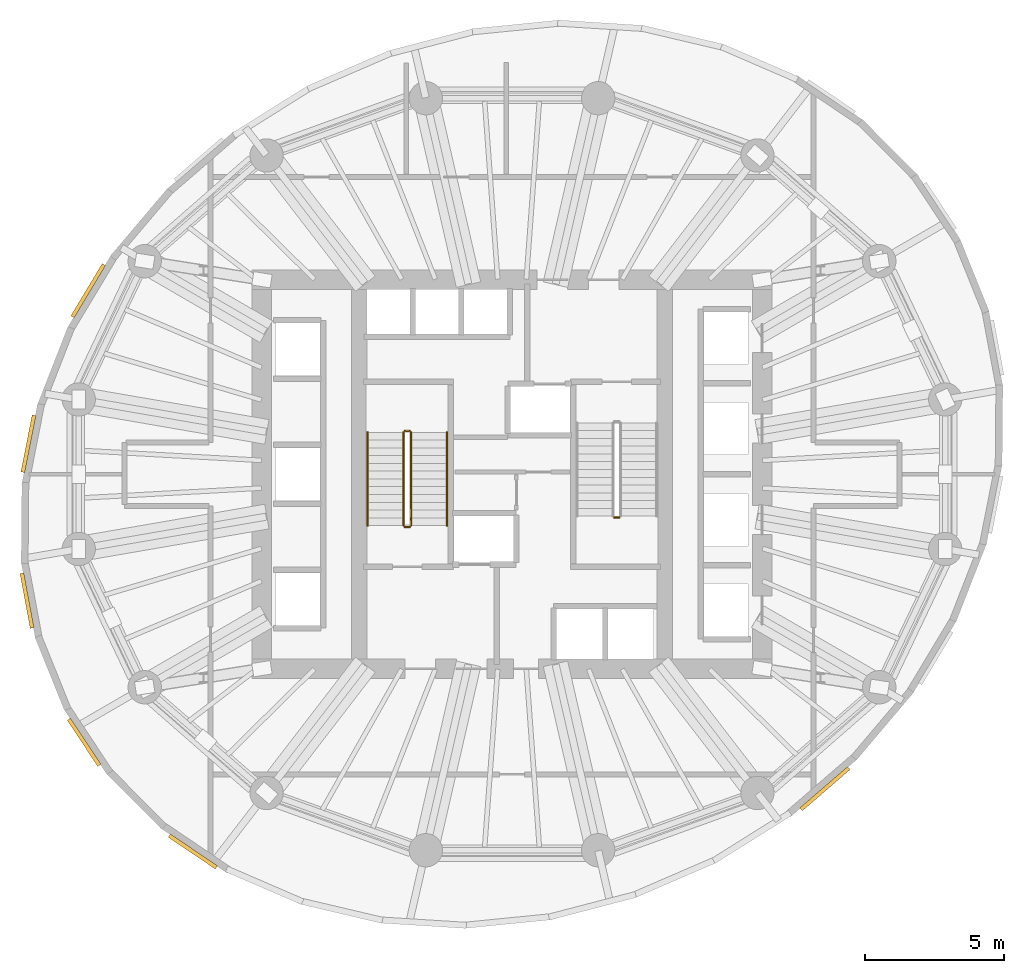
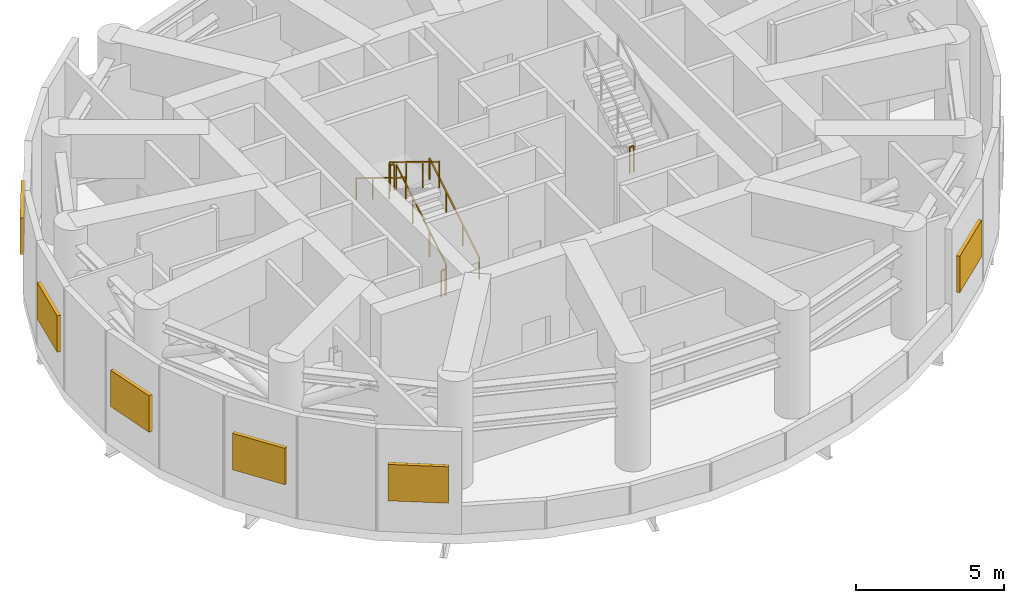
# One storey, part 8 of 9: 7 railings, 6 shading devices.
"""IFC4 building model written with IfcOpenShell, lengths in metres."""

from ifc_helpers import new_model, si_unit, direction, frame, origin, origin_2d, place, context, subcontext, project, spatial, rectangle, extrude, material, layer, layer_set, type_object, element, save


model = new_model("IFC4")

# Units and contexts
model_context = context("Model", 3, precision=1e-05, world=origin(), true_north=direction((0.0, 1.0)))
body_context = subcontext(model_context, "Body", "Model", "MODEL_VIEW")
ifc_project = project(units=[si_unit("LENGTHUNIT", "METRE"), si_unit("AREAUNIT", "SQUARE_METRE"), si_unit("VOLUMEUNIT", "CUBIC_METRE"), si_unit("PLANEANGLEUNIT", "RADIAN"), si_unit("MASSUNIT", "GRAM", prefix="KILO")], contexts=[model_context])

# Site, building, storey
site_placement = place(None, origin())
site = spatial("IfcSite", under=ifc_project, at=site_placement, CompositionType="ELEMENT")
building_placement = place(site_placement, origin())
building = spatial("IfcBuilding", under=site, at=building_placement, Name="Veldorim Arch Residences", CompositionType="ELEMENT")
storey_placement = place(building_placement, frame((0.0, 0.0, 112.47998046875)))
storey = spatial("IfcBuildingStorey", under=building, at=storey_placement, Name="L33", CompositionType="ELEMENT", Elevation=112.47998046875)

# Shading devices
ifc_material_1 = material(Name="Aluminium", Category="aluminium")
ifc_layer = layer(ifc_material_1, 0.14990234375, Name="Acoustic Stormproof Plant Louvre Bank")
ifc_layer_set = layer_set([ifc_layer], Name="Aluminium")
shading_device_type = type_object("IfcShadingDeviceType", Name="Acoustic Stormproof Plant Louvre Bank", PredefinedType="JALOUSIE", material=ifc_layer_set)
shading_device_1_placement = place(storey_placement, frame((16.745361328125, 30.607177734375, 1.35009765625), z_axis=(0.0, 0.0, 1.0), x_axis=(0.514738835705, 0.85734703068, 0.0)))
element("IfcShadingDevice", 1, at=shading_device_1_placement, inside=storey, type_object=shading_device_type, Name="L33 plant stormproof acoustic louvre 12", PredefinedType="JALOUSIE", context=body_context, shape_type="SweptSolid", body=[
    extrude(rectangle(XDim=2.18994140625, YDim=0.139892578125, at=origin_2d()), origin(), (0.0, 0.0, 1.0), 1.5),
])
shading_device_2_placement = place(storey_placement, frame((14.594482421875, 25.09521484375, 1.35009765625), z_axis=(0.0, 0.0, 1.0), x_axis=(0.1937206977, 0.981056721746, 0.0)))
element("IfcShadingDevice", 2, at=shading_device_2_placement, inside=storey, type_object=shading_device_type, Name="L33 plant stormproof acoustic louvre 14", PredefinedType="JALOUSIE", context=body_context, shape_type="SweptSolid", body=[
    extrude(rectangle(XDim=2.0869140625, YDim=0.139892578125, at=origin_2d()), origin(), (0.0, 0.0, 1.0), 1.5),
])
shading_device_3_placement = place(storey_placement, frame((14.543212890625, 19.448974609375, 1.35009765625), z_axis=(0.0, 0.0, 1.0), x_axis=(-0.183436661675, 0.983031531108, 0.0)))
element("IfcShadingDevice", 3, at=shading_device_3_placement, inside=storey, type_object=shading_device_type, Name="L33 plant stormproof acoustic louvre 16", PredefinedType="JALOUSIE", context=body_context, shape_type="SweptSolid", body=[
    extrude(rectangle(XDim=2.0048828125, YDim=0.139892578125, at=origin_2d()), origin(), (0.0, 0.0, 1.0), 1.5),
])
shading_device_4_placement = place(storey_placement, frame((16.599365234375, 14.35107421875, 1.35009765625), z_axis=(0.0, 0.0, 1.0), x_axis=(-0.551500288078, 0.834174701276, 0.0)))
element("IfcShadingDevice", 4, at=shading_device_4_placement, inside=storey, type_object=shading_device_type, Name="L33 plant stormproof acoustic louvre 18", PredefinedType="JALOUSIE", context=body_context, shape_type="SweptSolid", body=[
    extrude(rectangle(XDim=1.985107421875, YDim=0.139892578125, at=origin_2d()), origin(), (0.0, 0.0, 1.0), 1.5),
])
shading_device_5_placement = place(storey_placement, frame((20.514404296875, 10.41845703125, 1.35009765625), z_axis=(0.0, 0.0, 1.0), x_axis=(-0.828646980263, 0.559771544562, 0.0)))
element("IfcShadingDevice", 5, at=shading_device_5_placement, inside=storey, type_object=shading_device_type, Name="L33 plant stormproof acoustic louvre 20", PredefinedType="JALOUSIE", context=body_context, shape_type="SweptSolid", body=[
    extrude(rectangle(XDim=2.0400390625, YDim=0.139892578125, at=origin_2d()), origin(), (0.0, 0.0, 1.0), 1.5),
])
shading_device_6_placement = place(storey_placement, frame((43.26513671875, 12.6787109375, 1.35009765625), z_axis=(0.0, 0.0, 1.0), x_axis=(-0.756766922719, -0.653684805299, 0.0)))
element("IfcShadingDevice", 6, at=shading_device_6_placement, inside=storey, type_object=shading_device_type, Name="L33 plant stormproof acoustic louvre 28", PredefinedType="JALOUSIE", context=body_context, shape_type="SweptSolid", body=[
    extrude(rectangle(XDim=2.264892578125, YDim=0.139892578125, at=origin_2d()), origin(), (0.0, 0.0, 1.0), 1.5),
])

# Railings
ifc_material_2 = material(Name="Steel S355", Category="steel")
railing_type_1 = type_object("IfcRailingType", Name="Galvanised Steel Stair Safety Guardrail 1100", PredefinedType="GUARDRAIL", material=ifc_material_2)
railing_1_placement = place(storey_placement, frame((28.360107421875, 22.14990234375, 0.17236328125)))
element("IfcRailing", 7, at=railing_1_placement, inside=storey, type_object=railing_type_1, Name="L33 ST-1 stair guard 1", PredefinedType="GUARDRAIL", context=body_context, shape_type="SweptSolid", body=[
    extrude(rectangle(XDim=0.048095703125, YDim=0.048095703125, at=origin_2d()), frame((0.0, 0.0, 1.076171875), z_axis=(0.0, 0.851673189135, 0.524073257196), x_axis=(-1.0, 0.0, 0.0)), (0.0, 0.0, 1.0), 3.9453125),
    extrude(rectangle(XDim=0.0419921875, YDim=0.0419921875, at=origin_2d()), origin(), (0.0, 0.0, 1.0), 1.052001953125),
    extrude(rectangle(XDim=0.0419921875, YDim=0.0419921875, at=origin_2d()), frame((0.0, 1.1201171875, 0.689208984375)), (0.0, 0.0, 1.0), 1.052001953125),
    extrude(rectangle(XDim=0.0419921875, YDim=0.0419921875, at=origin_2d()), frame((0.0, 2.239990234375, 1.37841796875)), (0.0, 0.0, 1.0), 1.052001953125),
    extrude(rectangle(XDim=0.0419921875, YDim=0.0419921875, at=origin_2d()), frame((0.0, 3.360107421875, 2.067626953125)), (0.0, 0.0, 1.0), 1.052001953125),
])
railing_2_placement = place(storey_placement, frame((28.31005859375, 25.56005859375, 2.239990234375)))
element("IfcRailing", 8, at=railing_2_placement, inside=storey, type_object=railing_type_1, Name="L33 ST-1 stair guard 2", PredefinedType="GUARDRAIL", context=body_context, shape_type="SweptSolid", body=[
    extrude(rectangle(XDim=0.048095703125, YDim=0.048095703125, at=origin_2d()), frame((0.0, 0.0, 1.076171875), z_axis=(-1.0, 0.0, 0.0), x_axis=(0.0, -1.0, 0.0)), (0.0, 0.0, 1.0), 0.16015625),
    extrude(rectangle(XDim=0.0419921875, YDim=0.0419921875, at=origin_2d()), origin(), (0.0, 0.0, 1.0), 1.052001953125),
    extrude(rectangle(XDim=0.0419921875, YDim=0.0419921875, at=origin_2d()), frame((-0.16015625, 0.0, 0.0)), (0.0, 0.0, 1.0), 1.052001953125),
])
railing_3_placement = place(storey_placement, frame((28.10009765625, 25.510009765625, 2.412353515625)))
element("IfcRailing", 9, at=railing_3_placement, inside=storey, type_object=railing_type_1, Name="L33 ST-1 stair guard 3", PredefinedType="GUARDRAIL", context=body_context, shape_type="SweptSolid", body=[
    extrude(rectangle(XDim=0.048095703125, YDim=0.048095703125, at=origin_2d()), frame((0.0, 0.0, 1.076171875), z_axis=(0.0, -0.851673189135, 0.524073257196), x_axis=(1.0, 0.0, 0.0)), (0.0, 0.0, 1.0), 3.9453125),
    extrude(rectangle(XDim=0.0419921875, YDim=0.0419921875, at=origin_2d()), origin(), (0.0, 0.0, 1.0), 1.052001953125),
    extrude(rectangle(XDim=0.0419921875, YDim=0.0419921875, at=origin_2d()), frame((0.0, -1.1201171875, 0.689208984375)), (0.0, 0.0, 1.0), 1.052001953125),
    extrude(rectangle(XDim=0.0419921875, YDim=0.0419921875, at=origin_2d()), frame((0.0, -2.239990234375, 1.37841796875)), (0.0, 0.0, 1.0), 1.052001953125),
    extrude(rectangle(XDim=0.0419921875, YDim=0.0419921875, at=origin_2d()), frame((0.0, -3.360107421875, 2.067626953125)), (0.0, 0.0, 1.0), 1.052001953125),
])
railing_4_placement = place(storey_placement, frame((28.31005859375, 22.10009765625, 0.0)))
element("IfcRailing", 10, at=railing_4_placement, inside=storey, type_object=railing_type_1, Name="L33 ST-1 stair guard 4", PredefinedType="GUARDRAIL", context=body_context, shape_type="SweptSolid", body=[
    extrude(rectangle(XDim=0.048095703125, YDim=0.048095703125, at=origin_2d()), frame((0.0, 0.0, 1.076171875), z_axis=(-1.0, 0.0, 0.0), x_axis=(0.0, -1.0, 0.0)), (0.0, 0.0, 1.0), 0.16015625),
    extrude(rectangle(XDim=0.0419921875, YDim=0.0419921875, at=origin_2d()), origin(), (0.0, 0.0, 1.0), 1.052001953125),
    extrude(rectangle(XDim=0.0419921875, YDim=0.0419921875, at=origin_2d()), frame((-0.16015625, 0.0, 0.0)), (0.0, 0.0, 1.0), 1.052001953125),
])
railing_5_placement = place(storey_placement, frame((35.68994140625, 22.43994140625, 2.239990234375)))
element("IfcRailing", 11, at=railing_5_placement, inside=storey, type_object=railing_type_1, Name="L33 ST-2 stair guard 2", PredefinedType="GUARDRAIL", context=body_context, shape_type="SweptSolid", body=[
    extrude(rectangle(XDim=0.048095703125, YDim=0.048095703125, at=origin_2d()), frame((0.0, 0.0, 1.076171875), z_axis=(1.0, 0.0, 0.0), x_axis=(0.0, 1.0, 0.0)), (0.0, 0.0, 1.0), 0.16015625),
    extrude(rectangle(XDim=0.0419921875, YDim=0.0419921875, at=origin_2d()), origin(), (0.0, 0.0, 1.0), 1.052001953125),
    extrude(rectangle(XDim=0.0419921875, YDim=0.0419921875, at=origin_2d()), frame((0.16015625, 0.0, 0.0)), (0.0, 0.0, 1.0), 1.052001953125),
])
ifc_material_3 = material(Name="Stainless Steel", Category="steel")
railing_type_2 = type_object("IfcRailingType", Name="Tubular Steel Continuous Wall Handrail 900", PredefinedType="HANDRAIL", material=ifc_material_3)
railing_6_placement = place(storey_placement, frame((29.659912109375, 22.14990234375, 0.17236328125)))
element("IfcRailing", 12, at=railing_6_placement, inside=storey, type_object=railing_type_2, Name="L33 ST-1 stair handrail 1", PredefinedType="HANDRAIL", context=body_context, shape_type="SweptSolid", body=[
    extrude(rectangle(XDim=0.048095703125, YDim=0.048095703125, at=origin_2d()), frame((0.0, 0.0, 0.8759765625), z_axis=(0.0, 0.851673189135, 0.524073257196), x_axis=(-1.0, 0.0, 0.0)), (0.0, 0.0, 1.0), 3.9453125),
    extrude(rectangle(XDim=0.0419921875, YDim=0.0419921875, at=origin_2d()), origin(), (0.0, 0.0, 1.0), 0.851806640625),
    extrude(rectangle(XDim=0.0419921875, YDim=0.0419921875, at=origin_2d()), frame((0.0, 1.1201171875, 0.689208984375)), (0.0, 0.0, 1.0), 0.851806640625),
    extrude(rectangle(XDim=0.0419921875, YDim=0.0419921875, at=origin_2d()), frame((0.0, 2.239990234375, 1.37841796875)), (0.0, 0.0, 1.0), 0.851806640625),
    extrude(rectangle(XDim=0.0419921875, YDim=0.0419921875, at=origin_2d()), frame((0.0, 3.360107421875, 2.067626953125)), (0.0, 0.0, 1.0), 0.851806640625),
])
railing_7_placement = place(storey_placement, frame((26.800048828125, 25.510009765625, 2.412353515625)))
element("IfcRailing", 13, at=railing_7_placement, inside=storey, type_object=railing_type_2, Name="L33 ST-1 stair handrail 2", PredefinedType="HANDRAIL", context=body_context, shape_type="SweptSolid", body=[
    extrude(rectangle(XDim=0.048095703125, YDim=0.048095703125, at=origin_2d()), frame((0.0, 0.0, 0.8759765625), z_axis=(0.0, -0.851673189135, 0.524073257196), x_axis=(1.0, 0.0, 0.0)), (0.0, 0.0, 1.0), 3.9453125),
    extrude(rectangle(XDim=0.0419921875, YDim=0.0419921875, at=origin_2d()), origin(), (0.0, 0.0, 1.0), 0.851806640625),
    extrude(rectangle(XDim=0.0419921875, YDim=0.0419921875, at=origin_2d()), frame((0.0, -1.1201171875, 0.689208984375)), (0.0, 0.0, 1.0), 0.851806640625),
    extrude(rectangle(XDim=0.0419921875, YDim=0.0419921875, at=origin_2d()), frame((0.0, -2.239990234375, 1.37841796875)), (0.0, 0.0, 1.0), 0.851806640625),
    extrude(rectangle(XDim=0.0419921875, YDim=0.0419921875, at=origin_2d()), frame((0.0, -3.360107421875, 2.067626953125)), (0.0, 0.0, 1.0), 0.851806640625),
])

save(model, "model.ifc")
